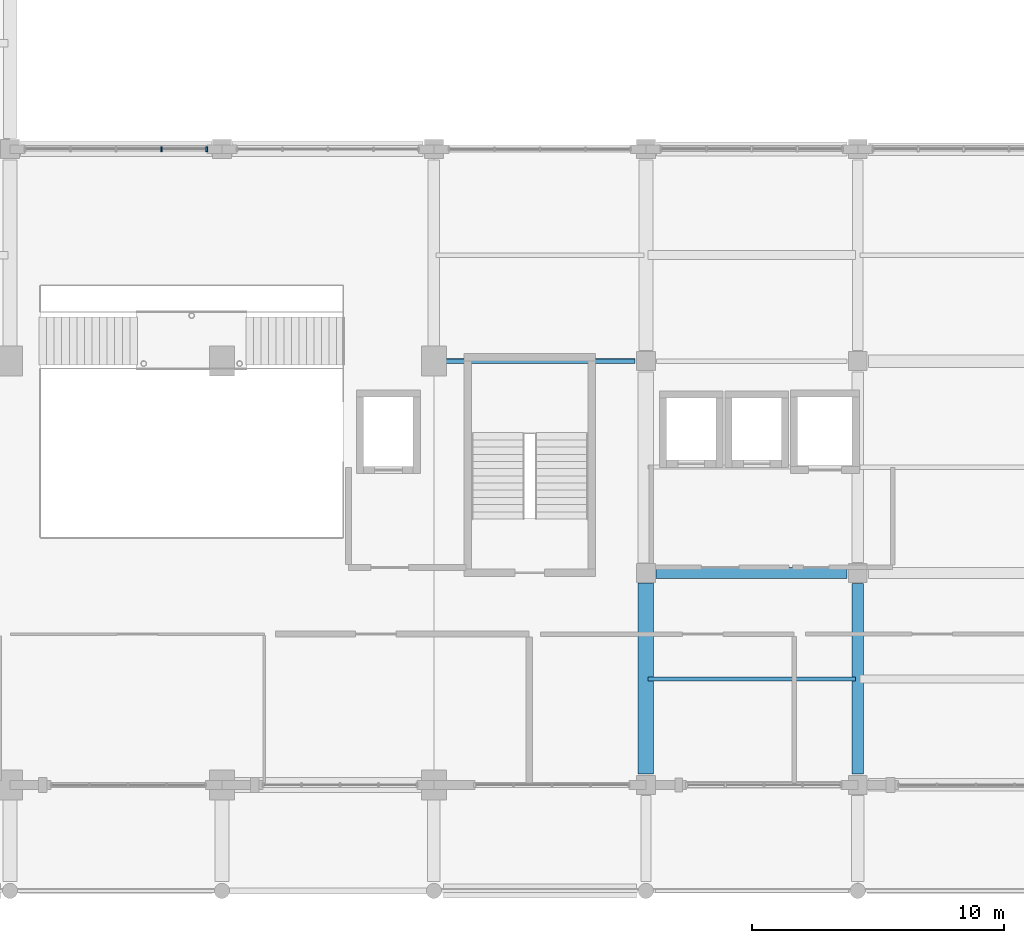
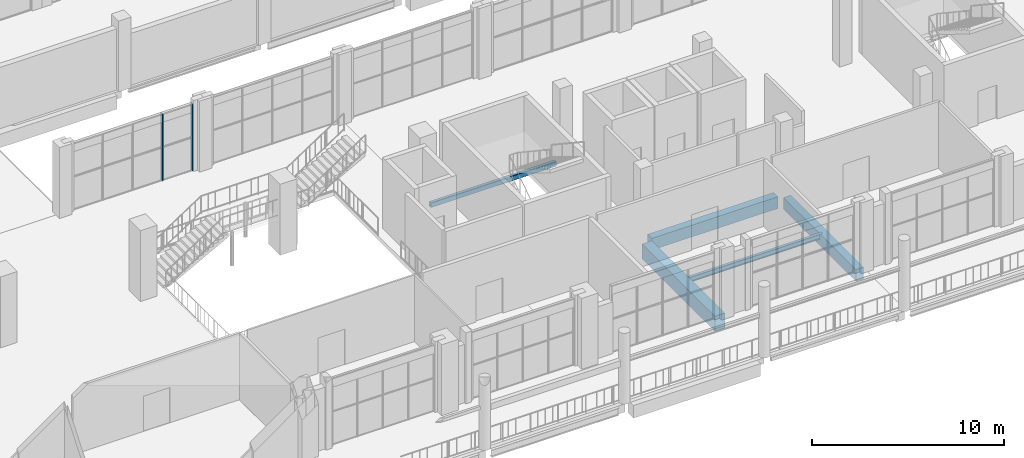
# One storey, part 23 of 75: 5 beams, 2 members, 1 element without a shape of its own.
"""IFC4 building model written with IfcOpenShell, lengths in metres."""

from ifc_helpers import new_model, si_unit, derived_unit, direction, frame, origin, origin_2d, place, context, subcontext, project, spatial, rectangle, hollow_rectangle, i_section, extrude, material, material_profile, profile_set, type_object, element, aggregate, save


model = new_model("IFC4")

# Units and contexts
model_context = context("Model", 3, precision=1e-05, world=origin(), true_north=direction((0.0, 1.0)))
body_context = subcontext(model_context, "Body", "Model", "MODEL_VIEW")
ifc_project = project(units=[si_unit("LENGTHUNIT", "METRE"), si_unit("AREAUNIT", "SQUARE_METRE"), si_unit("VOLUMEUNIT", "CUBIC_METRE"), si_unit("PLANEANGLEUNIT", "RADIAN"), si_unit("MASSUNIT", "GRAM", prefix="KILO"), derived_unit("THERMALTRANSMITTANCEUNIT", [(si_unit("POWERUNIT", "WATT"), 1), (si_unit("LENGTHUNIT", "METRE"), -2), (si_unit("THERMODYNAMICTEMPERATUREUNIT", "KELVIN"), -1)])], contexts=[model_context])

# Site, building, storey
site_placement = place(None, origin())
site = spatial("IfcSite", under=ifc_project, at=site_placement, CompositionType="ELEMENT")
building_placement = place(site_placement, origin())
building = spatial("IfcBuilding", under=site, at=building_placement, Name="Barrovel Congress Hotel", CompositionType="ELEMENT")
storey_placement = place(building_placement, frame((0.0, 0.0, 5.39990234375)))
storey = spatial("IfcBuildingStorey", under=building, at=storey_placement, Name="L01", CompositionType="ELEMENT", Elevation=5.39990234375)

# Beams
ifc_material_1 = material(Name="Concrete C40", Category="concrete")
ifc_material_profile_1 = material_profile(ifc_material_1, rectangle(XDim=0.449951171875, YDim=0.75, at=origin_2d()), Name="RC450x750")
ifc_profile_set_1 = profile_set([ifc_material_profile_1], Name="Concrete C40")
beam_type_1 = type_object("IfcBeamType", Name="BM-RC450x750", PredefinedType="BEAM", material=ifc_profile_set_1)
beam_1_placement = place(storey_placement, frame((84.39990234375, 12.60009765625, -0.635009765625), z_axis=(1.0, 0.0, 0.0), x_axis=(0.0, 1.0, 0.0)))
element("IfcBeam", 1, at=beam_1_placement, inside=storey, type_object=beam_type_1, Name="BMX:L01:12.6:84.0-92.4", PredefinedType="BEAM", context=body_context, shape_type="SweptSolid", body=[
    extrude(rectangle(XDim=0.449951171875, YDim=0.75, at=origin_2d()), origin(), (0.0, 0.0, 1.0), 7.5751953125),
])
beam_2_placement = place(storey_placement, frame((92.39990234375, 4.625, -0.635009765625), z_axis=(0.0, 1.0, 0.0), x_axis=(-1.0, 0.0, 0.0)))
element("IfcBeam", 2, at=beam_2_placement, inside=storey, type_object=beam_type_1, Name="BMY:L01:92.4:4.2-12.6", PredefinedType="BEAM", context=body_context, shape_type="SweptSolid", body=[
    extrude(rectangle(XDim=0.449951171875, YDim=0.75, at=origin_2d()), origin(), (0.0, 0.0, 1.0), 7.550048828125),
])
ifc_material_profile_2 = material_profile(ifc_material_1, rectangle(XDim=0.60009765625, YDim=0.949951171875, at=origin_2d()), Name="RC600x950")
ifc_profile_set_2 = profile_set([ifc_material_profile_2], Name="Concrete C40")
beam_type_2 = type_object("IfcBeamType", Name="BM-RC600x950", PredefinedType="BEAM", material=ifc_profile_set_2)
beam_3_placement = place(storey_placement, frame((84.0, 4.625, -0.73486328125), z_axis=(0.0, 1.0, 0.0), x_axis=(-1.0, 0.0, 0.0)))
element("IfcBeam", 3, at=beam_3_placement, inside=storey, type_object=beam_type_2, Name="BMY:L01:84.0:4.2-12.6", PredefinedType="BEAM", context=body_context, shape_type="SweptSolid", body=[
    extrude(rectangle(XDim=0.60009765625, YDim=0.949951171875, at=origin_2d()), origin(), (0.0, 0.0, 1.0), 7.574951171875),
])

# Curtain wall, members
ifc_material_2 = material(Name="Anodised Aluminium Alloy 6063-T6", Category="aluminium")
curtain_wall_type = type_object("IfcCurtainWallType", Name="CW-ST-7200x3900", PredefinedType="USERDEFINED", material=ifc_material_2)
curtain_wall_placement = place(storey_placement, origin())
curtain_wall = element("IfcCurtainWall", 4, at=curtain_wall_placement, inside=storey, type_object=curtain_wall_type, Name="CW:L01:CS:07", ObjectType="STICK CURTAIN WALL", PredefinedType="USERDEFINED")
ifc_material_profile_3 = material_profile(ifc_material_2, rectangle(XDim=0.06494140625, YDim=0.18994140625, at=origin_2d()), Name="AL-M65x190")
ifc_profile_set_3 = profile_set([ifc_material_profile_3], Name="Anodised Aluminium Alloy 6063-T6")
member_type = type_object("IfcMemberType", Name="CWM-AL-M65x190", PredefinedType="MULLION", material=ifc_profile_set_3)
member_1_placement = place(storey_placement, frame((66.60009765625, 29.39990234375, 0.0), z_axis=(0.0, 0.0, 1.0), x_axis=(1.0, 0.0, 0.0)))
member_1 = element("IfcMember", 5, at=member_1_placement, type_object=member_type, Name="CW:L01:CS:07:M0", PredefinedType="MULLION", context=body_context, shape_type="SweptSolid", body=[
    extrude(rectangle(XDim=0.06494140625, YDim=0.18994140625, at=origin_2d()), origin(), (0.0, 0.0, 1.0), 4.22021484375),
])
member_2_placement = place(storey_placement, frame((64.800048828125, 29.39990234375, 0.0), z_axis=(0.0, 0.0, 1.0), x_axis=(1.0, 0.0, 0.0)))
member_2 = element("IfcMember", 6, at=member_2_placement, type_object=member_type, Name="CW:L01:CS:07:M1", PredefinedType="MULLION", context=body_context, shape_type="SweptSolid", body=[
    extrude(rectangle(XDim=0.06494140625, YDim=0.18994140625, at=origin_2d()), origin(), (0.0, 0.0, 1.0), 4.22021484375),
])
aggregate(curtain_wall, [member_1, member_2])

# Beams
ifc_material_3 = material(Name="Steel ASTM A500 Grade C", Category="steel")
ifc_material_profile_4 = material_profile(ifc_material_3, hollow_rectangle(XDim=0.203125, YDim=0.3046875, WallThickness=0.01171875, InnerFilletRadius=0.01171875, OuterFilletRadius=0.023681640625, at=origin_2d()), Name="HSS305x203x12.7")
ifc_profile_set_4 = profile_set([ifc_material_profile_4], Name="Steel ASTM A500 Grade C")
beam_type_3 = type_object("IfcBeamType", Name="SBM-HSS305x203x12.7", PredefinedType="SPANDREL", material=ifc_profile_set_4)
beam_4_placement = place(storey_placement, frame((76.050048828125, 21.0, -0.412353515625), z_axis=(1.0, 0.0, 0.0), x_axis=(0.0, 1.0, 0.0)))
element("IfcBeam", 7, at=beam_4_placement, inside=storey, type_object=beam_type_3, Name="BMX:L01:21.0:75.6-84.0", PredefinedType="SPANDREL", context=body_context, shape_type="SweptSolid", body=[
    extrude(hollow_rectangle(XDim=0.203125, YDim=0.3046875, WallThickness=0.01171875, InnerFilletRadius=0.01171875, OuterFilletRadius=0.023681640625, at=origin_2d()), origin(), (0.0, 0.0, 1.0), 7.52490234375),
])
ifc_material_4 = material(Name="Steel ASTM A992 Grade 50", Category="steel")
ifc_material_profile_5 = material_profile(ifc_material_4, i_section(OverallWidth=0.1669921875, OverallDepth=0.31689453125, WebThickness=0.007568359375, FlangeThickness=0.01318359375, FilletRadius=0.010986328125, at=origin_2d()), Name="W310x52")
ifc_profile_set_5 = profile_set([ifc_material_profile_5], Name="Steel ASTM A992 Grade 50")
beam_type_4 = type_object("IfcBeamType", Name="SBM-W310x52", PredefinedType="JOIST", material=ifc_profile_set_5)
beam_5_placement = place(storey_placement, frame((84.080078125, 8.39990234375, -0.41845703125), z_axis=(1.0, 0.0, 0.0), x_axis=(0.0, 1.0, 0.0)))
element("IfcBeam", 8, at=beam_5_placement, inside=storey, type_object=beam_type_4, Name="JST:L01:84.0:8.4", PredefinedType="JOIST", context=body_context, shape_type="SweptSolid", body=[
    extrude(i_section(OverallWidth=0.1669921875, OverallDepth=0.31689453125, WebThickness=0.007568359375, FlangeThickness=0.01318359375, FilletRadius=0.010986328125, at=origin_2d()), origin(), (0.0, 0.0, 1.0), 8.239990234375),
])

save(model, "model.ifc")
